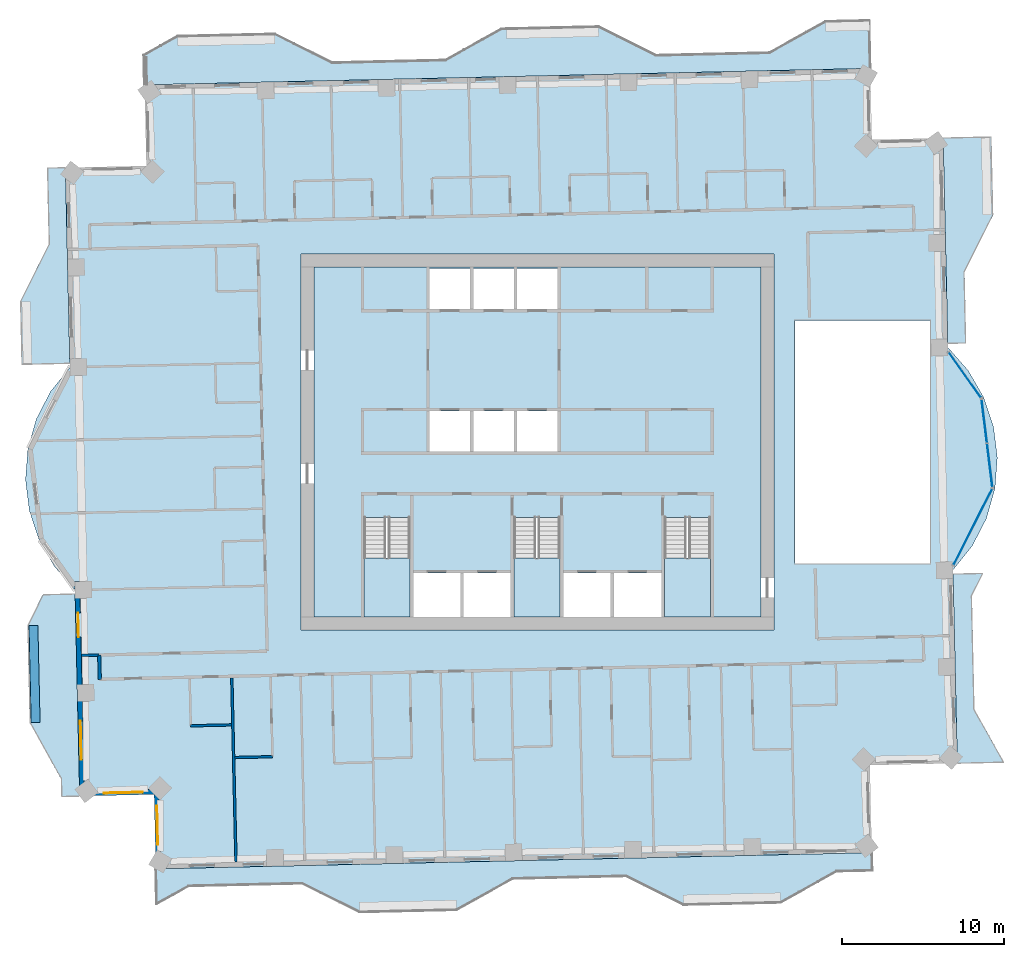
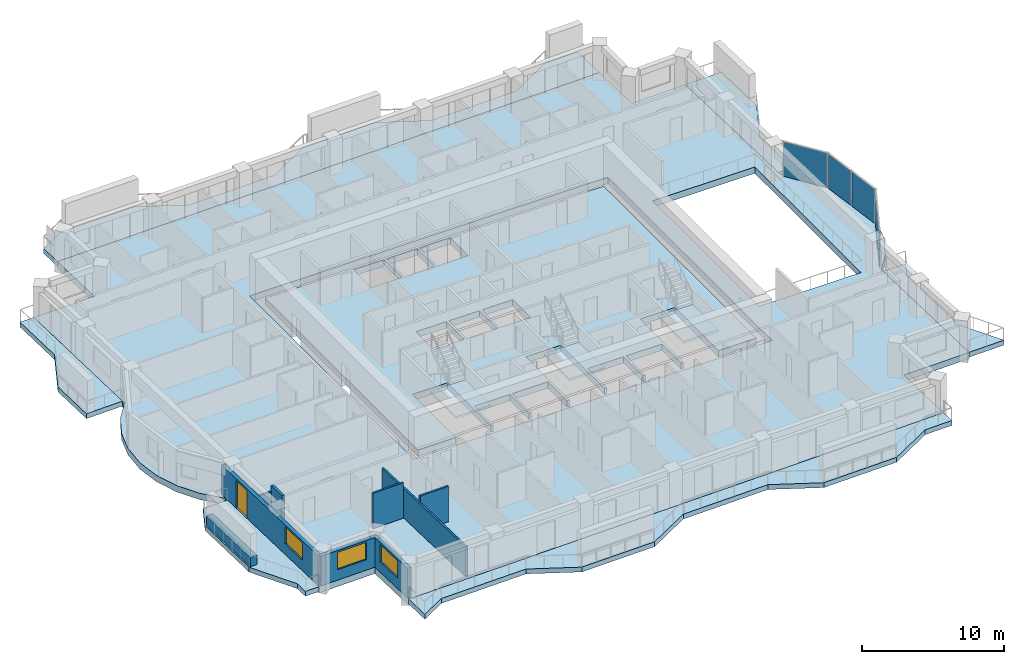
# One storey, part 5 of 17: 11 slabs, 9 walls, 4 plates, 3 windows, 1 door, 4 openings, 6 elements without a shape of their own.
"""IFC4 building model written with IfcOpenShell, lengths in metres."""

from ifc_helpers import new_model, si_unit, direction, frame, frame_2d, origin, origin_2d, place, context, subcontext, project, spatial, polyline, rectangle, outline, extrude, material, layer, layer_set, type_object, element, fill, aggregate, save


model = new_model("IFC4")

# Units and contexts
model_context = context("Model", 3, precision=1e-05, world=origin(), true_north=direction((0.0, 1.0)))
body_context = subcontext(model_context, "Body", "Model", "MODEL_VIEW")
ifc_project = project(units=[si_unit("LENGTHUNIT", "METRE"), si_unit("AREAUNIT", "SQUARE_METRE"), si_unit("VOLUMEUNIT", "CUBIC_METRE"), si_unit("PLANEANGLEUNIT", "RADIAN"), si_unit("MASSUNIT", "GRAM", prefix="KILO")], contexts=[model_context])

# Site, building, storey
site_placement = place(None, origin())
site = spatial("IfcSite", under=ifc_project, at=site_placement, CompositionType="ELEMENT")
building_placement = place(site_placement, origin())
building = spatial("IfcBuilding", under=site, at=building_placement, Name="Mangrove Gate Tower", CompositionType="ELEMENT")
storey_placement = place(building_placement, frame((0.0, 0.0, 249.10009765625)))
storey = spatial("IfcBuildingStorey", under=building, at=storey_placement, Name="L63", CompositionType="ELEMENT", Elevation=249.10009765625)

# Curtain wall, plate
ifc_material_1 = material(Name="Aluminium and glass curtain wall", Category="aluminium")
curtain_wall_type = type_object("IfcCurtainWallType", Name="Atrium garden-court glazing wall", PredefinedType="NOTDEFINED", material=ifc_material_1)
curtain_wall_1_placement = place(storey_placement, origin())
curtain_wall_1 = element("IfcCurtainWall", 1, at=curtain_wall_1_placement, inside=storey, type_object=curtain_wall_type, Name="Atrium garden-court glazing E1f1", PredefinedType="NOTDEFINED")
ifc_material_2 = material(Name="Laminated low-e glass", Category="glass")
ifc_layer_1 = layer(ifc_material_2, 0.031982421875)
ifc_layer_set_1 = layer_set([ifc_layer_1], Name="Atrium garden-court glazing panel 32")
plate_type = type_object("IfcPlateType", Name="Atrium garden-court glazing panel 32", PredefinedType="CURTAIN_PANEL", material=ifc_layer_set_1)
plate_1_placement = place(storey_placement, frame((26.87890625, -5.256591796875, 0.0), z_axis=(0.0, 0.0, 1.0), x_axis=(0.452597795636, 0.891714772439, 0.0)))
plate_1 = element("IfcPlate", 2, at=plate_1_placement, type_object=plate_type, Name="CWA panel 1.1", PredefinedType="CURTAIN_PANEL", context=body_context, shape_type="SweptSolid", body=[
    extrude(rectangle(XDim=5.258056640625, YDim=0.031982421875, at=origin_2d()), origin(), (0.0, 0.0, 1.0), 2.97998046875),
])
aggregate(curtain_wall_1, [plate_1])

# Curtain wall, plates
curtain_wall_2_placement = place(storey_placement, origin())
curtain_wall_2 = element("IfcCurtainWall", 3, at=curtain_wall_2_placement, inside=storey, type_object=curtain_wall_type, Name="Atrium garden-court glazing E1f2", PredefinedType="NOTDEFINED")
plate_2_placement = place(storey_placement, frame((27.92822265625, -1.449462890625, 0.0), z_axis=(0.0, 0.0, 1.0), x_axis=(-0.122172285885, 0.992508908051, 0.0)))
plate_2 = element("IfcPlate", 4, at=plate_2_placement, type_object=plate_type, Name="CWA panel 1.1", PredefinedType="CURTAIN_PANEL", context=body_context, shape_type="SweptSolid", body=[
    extrude(rectangle(XDim=2.681640625, YDim=0.031982421875, at=origin_2d()), origin(), (0.0, 0.0, 1.0), 2.97998046875),
])
plate_3_placement = place(storey_placement, frame((27.592041015625, 1.281494140625, 0.0), z_axis=(0.0, 0.0, 1.0), x_axis=(-0.122172285885, 0.992508908051, 0.0)))
plate_3 = element("IfcPlate", 5, at=plate_3_placement, type_object=plate_type, Name="CWA panel 2.1", PredefinedType="CURTAIN_PANEL", context=body_context, shape_type="SweptSolid", body=[
    extrude(rectangle(XDim=2.681640625, YDim=0.031982421875, at=origin_2d()), origin(), (0.0, 0.0, 1.0), 2.97998046875),
])
aggregate(curtain_wall_2, [plate_2, plate_3])

# Curtain wall, plate
curtain_wall_3_placement = place(storey_placement, origin())
curtain_wall_3 = element("IfcCurtainWall", 6, at=curtain_wall_3_placement, inside=storey, type_object=curtain_wall_type, Name="Atrium garden-court glazing E1f3", PredefinedType="NOTDEFINED")
plate_4_placement = place(storey_placement, frame((26.38818359375, 4.1376953125, 0.0), z_axis=(0.0, 0.0, 1.0), x_axis=(-0.578120908245, 0.815951110944, 0.0)))
plate_4 = element("IfcPlate", 7, at=plate_4_placement, type_object=plate_type, Name="CWA panel 1.1", PredefinedType="CURTAIN_PANEL", context=body_context, shape_type="SweptSolid", body=[
    extrude(rectangle(XDim=3.4287109375, YDim=0.031982421875, at=origin_2d()), origin(), (0.0, 0.0, 1.0), 2.97998046875),
])
aggregate(curtain_wall_3, [plate_4])

# Slabs
ifc_material_3 = material(Name="Porcelain tile")
ifc_layer_2 = layer(ifc_material_3, 0.02001953125, Name="Tile finish")
ifc_material_4 = material(Name="Cement sand screed")
ifc_layer_3 = layer(ifc_material_4, 0.0400390625, Name="Screed laid to falls")
ifc_material_5 = material(Name="Bituminous waterproofing membrane")
ifc_layer_4 = layer(ifc_material_5, 0.00390625, Name="Waterproofing")
ifc_material_6 = material(Name="Concrete C40/50", Category="concrete")
ifc_layer_5 = layer(ifc_material_6, 0.340087890625, Name="Balcony structural slab")
ifc_material_7 = material(Name="Limestone", Category="masonry")
ifc_layer_6 = layer(ifc_material_7, 0.01611328125, Name="Soffit lining")
ifc_layer_set_2 = layer_set([ifc_layer_2, ifc_layer_3, ifc_layer_4, ifc_layer_5, ifc_layer_6], Name="Balcony slab 420 C40/50")
slab_type_1 = type_object("IfcSlabType", Name="Balcony slab 420 C40/50", PredefinedType="FLOOR", material=ifc_layer_set_2)
slab_1_placement = place(storey_placement, frame((0.0, 0.0, -0.420166015625)))
element("IfcSlab", 8, at=slab_1_placement, inside=storey, type_object=slab_type_1, Name="BALCONY L63 E0", PredefinedType="FLOOR", context=body_context, shape_type="SweptSolid", body=[
    extrude(outline(polyline([(28.806884765625, -19.764892578125), (26.988037109375, -16.5048828125), (26.830078125, -9.507080078125), (27.52490234375, -8.115966796875), (25.658935546875, -8.158935546875), (25.68994140625, -9.532958984375), (25.84912109375, -16.531005859375), (25.924072265625, -19.830078125), (28.806884765625, -19.764892578125)])), origin(), (0.0, 0.0, 1.0), 0.420166015625),
])
slab_2_placement = place(storey_placement, frame((0.0, 0.0, -0.420166015625)))
element("IfcSlab", 9, at=slab_2_placement, inside=storey, type_object=slab_type_1, Name="BALCONY L63 E1", PredefinedType="FLOOR", context=body_context, shape_type="SweptSolid", body=[
    extrude(outline(polyline([(26.47509765625, 6.114013671875), (26.3759765625, 10.488037109375), (28.14599609375, 14.029052734375), (28.037109375, 18.827880859375), (25.048095703125, 18.760009765625), (25.156982421875, 13.9609375), (25.236083984375, 10.4619140625), (25.3349609375, 6.087890625), (26.47509765625, 6.114013671875)])), origin(), (0.0, 0.0, 1.0), 0.420166015625),
])
slab_3_placement = place(storey_placement, frame((0.0, 0.0, -0.420166015625)))
element("IfcSlab", 10, at=slab_3_placement, inside=storey, type_object=slab_type_1, Name="BALCONY L63 N0", PredefinedType="FLOOR", context=body_context, shape_type="SweptSolid", body=[
    extrude(outline(polyline([(20.48095703125, 26.048095703125), (17.778076171875, 25.987060546875), (14.321044921875, 24.05810546875), (7.322998046875, 23.89892578125), (3.781982421875, 25.6689453125), (-2.217041015625, 25.532958984375), (-5.674072265625, 23.60400390625), (-12.672119140625, 23.446044921875), (-16.212890625, 25.215087890625), (-22.2119140625, 25.0791015625), (-24.2900390625, 23.919921875), (-24.2470703125, 22.0419921875), (20.549072265625, 23.05908203125), (20.48095703125, 26.048095703125)])), origin(), (0.0, 0.0, 1.0), 0.420166015625),
])
slab_4_placement = place(storey_placement, frame((0.0, 0.0, -0.420166015625)))
element("IfcSlab", 11, at=slab_4_placement, inside=storey, type_object=slab_type_1, Name="BALCONY L63 W0", PredefinedType="FLOOR", context=body_context, shape_type="SweptSolid", body=[
    extrude(outline(polyline([(-30.27197265625, 16.904052734375), (-30.166015625, 12.205078125), (-31.93603515625, 8.6640625), (-31.847900390625, 4.791015625), (-28.85888671875, 4.85888671875), (-28.947021484375, 8.73193359375), (-29.02587890625, 12.23095703125), (-29.133056640625, 16.929931640625), (-30.27197265625, 16.904052734375)])), origin(), (0.0, 0.0, 1.0), 0.420166015625),
])
slab_5_placement = place(storey_placement, frame((0.0, 0.0, -0.420166015625)))
element("IfcSlab", 12, at=slab_5_placement, inside=storey, type_object=slab_type_1, Name="BALCONY L63 W1", PredefinedType="FLOOR", context=body_context, shape_type="SweptSolid", body=[
    extrude(outline(polyline([(-30.533935546875, -9.43408203125), (-31.48193359375, -11.330078125), (-31.345947265625, -17.3291015625), (-29.4169921875, -20.785888671875), (-29.39208984375, -21.885986328125), (-28.251953125, -21.860107421875), (-28.277099609375, -20.760009765625), (-28.35693359375, -17.260986328125), (-28.492919921875, -11.262939453125), (-28.534912109375, -9.387939453125), (-30.533935546875, -9.43408203125)])), origin(), (0.0, 0.0, 1.0), 0.420166015625),
])
slab_6_placement = place(storey_placement, frame((0.0, 0.0, -0.420166015625)))
element("IfcSlab", 13, at=slab_6_placement, inside=storey, type_object=slab_type_1, Name="BALCONY L63 S0", PredefinedType="FLOOR", context=body_context, shape_type="SweptSolid", body=[
    extrude(outline(polyline([(-23.4990234375, -28.552978515625), (-21.52001953125, -27.448974609375), (-14.52197265625, -27.2900390625), (-10.98095703125, -29.06005859375), (-4.98193359375, -28.924072265625), (-1.52490234375, -26.9951171875), (5.472900390625, -26.8369140625), (9.013916015625, -28.60595703125), (15.012939453125, -28.469970703125), (18.469970703125, -26.541015625), (20.673095703125, -26.490966796875), (20.64697265625, -25.35107421875), (-23.549072265625, -26.35400390625), (-23.4990234375, -28.552978515625)])), origin(), (0.0, 0.0, 1.0), 0.420166015625),
])
ifc_material_8 = material(Name="Concrete C40/50", Category="concrete")
ifc_layer_7 = layer(ifc_material_8, 0.550048828125)
ifc_layer_set_3 = layer_set([ifc_layer_7], Name="Core floor slab 550 C40/50")
slab_type_2 = type_object("IfcSlabType", Name="Core floor slab 550 C40/50", PredefinedType="FLOOR", material=ifc_layer_set_3)
slab_7_placement = place(storey_placement, frame((0.0, 0.0, -0.550048828125)))
element("IfcSlab", 14, at=slab_7_placement, inside=storey, type_object=slab_type_2, Name="SLAB-L63-CORE-1", PredefinedType="FLOOR", context=body_context, shape_type="SweptSolid", body=[
    extrude(outline(polyline([(-13.800048828125, -10.800048828125), (-13.800048828125, 10.800048828125), (13.800048828125, 10.800048828125), (13.800048828125, -10.800048828125), (10.699951171875, -10.800048828125), (10.699951171875, -4.653076171875), (7.85009765625, -4.653076171875), (7.85009765625, -10.800048828125), (7.64990234375, -10.800048828125), (7.64990234375, -8.10009765625), (4.72509765625, -8.10009765625), (4.72509765625, -10.800048828125), (4.52490234375, -10.800048828125), (4.52490234375, -8.10009765625), (1.60009765625, -8.10009765625), (1.60009765625, -10.800048828125), (1.39990234375, -10.800048828125), (1.39990234375, -4.653076171875), (-1.449951171875, -4.653076171875), (-1.449951171875, -10.800048828125), (-1.64990234375, -10.800048828125), (-1.64990234375, -8.10009765625), (-4.550048828125, -8.10009765625), (-4.550048828125, -10.800048828125), (-4.75, -10.800048828125), (-4.75, -8.10009765625), (-7.64990234375, -8.10009765625), (-7.64990234375, -10.800048828125), (-7.85009765625, -10.800048828125), (-7.85009765625, -4.653076171875), (-10.699951171875, -4.653076171875), (-10.699951171875, -10.800048828125), (-13.800048828125, -10.800048828125)]), holes=[polyline([(-4.14990234375, 1.89990234375), (-6.64990234375, 1.89990234375), (-6.64990234375, -0.60009765625), (-4.14990234375, -0.60009765625), (-4.14990234375, 1.89990234375)]), polyline([(-1.449951171875, -0.60009765625), (-1.449951171875, 1.89990234375), (-3.949951171875, 1.89990234375), (-3.949951171875, -0.60009765625), (-1.449951171875, -0.60009765625)]), polyline([(-4.14990234375, 8.199951171875), (-4.14990234375, 10.699951171875), (-6.64990234375, 10.699951171875), (-6.64990234375, 8.199951171875), (-4.14990234375, 8.199951171875)]), polyline([(-1.449951171875, 10.699951171875), (-3.949951171875, 10.699951171875), (-3.949951171875, 8.199951171875), (-1.449951171875, 8.199951171875), (-1.449951171875, 10.699951171875)]), polyline([(1.25, -0.60009765625), (1.25, 1.89990234375), (-1.25, 1.89990234375), (-1.25, -0.60009765625), (1.25, -0.60009765625)]), polyline([(1.25, 8.199951171875), (1.25, 10.699951171875), (-1.25, 10.699951171875), (-1.25, 8.199951171875), (1.25, 8.199951171875)])]), origin(), (0.0, 0.0, 1.0), 0.550048828125),
])

# Stair, slab
ifc_material_9 = material(Name="Concrete C40/50", Category="concrete")
stair_type = type_object("IfcStairType", Name="Core stair 1350", PredefinedType="HALF_TURN_STAIR", material=ifc_material_9)
stair_1_placement = place(storey_placement, origin())
stair_1 = element("IfcStair", 15, at=stair_1_placement, inside=storey, type_object=stair_type, Name="L63 Stair 1", PredefinedType="HALF_TURN_STAIR")
ifc_material_10 = material(Name="Concrete C40/50", Category="concrete")
ifc_layer_8 = layer(ifc_material_10, 0.199951171875)
ifc_layer_set_4 = layer_set([ifc_layer_8], Name="Core stair landing 200")
slab_type_3 = type_object("IfcSlabType", Name="Core stair landing 200", PredefinedType="LANDING", material=ifc_layer_set_4)
slab_8_placement = place(storey_placement, frame((0.0, 0.0, 1.599853515625)))
slab_8 = element("IfcSlab", 16, at=slab_8_placement, type_object=slab_type_3, Name="ST1 landing 1", PredefinedType="LANDING", context=body_context, shape_type="SweptSolid", body=[
    extrude(outline(polyline([(-10.699951171875, -7.169921875), (-10.699951171875, -10.800048828125), (-7.85009765625, -10.800048828125), (-7.85009765625, -7.169921875), (-10.699951171875, -7.169921875)])), origin(), (0.0, 0.0, 1.0), 0.199951171875),
])
aggregate(stair_1, [slab_8])

stair_2_placement = place(storey_placement, origin())
stair_2 = element("IfcStair", 17, at=stair_2_placement, inside=storey, type_object=stair_type, Name="L63 Stair 2", PredefinedType="HALF_TURN_STAIR")
slab_9_placement = place(storey_placement, frame((0.0, 0.0, 1.599853515625)))
slab_9 = element("IfcSlab", 18, at=slab_9_placement, type_object=slab_type_3, Name="ST2 landing 1", PredefinedType="LANDING", context=body_context, shape_type="SweptSolid", body=[
    extrude(outline(polyline([(-1.449951171875, -7.169921875), (-1.449951171875, -10.800048828125), (1.39990234375, -10.800048828125), (1.39990234375, -7.169921875), (-1.449951171875, -7.169921875)])), origin(), (0.0, 0.0, 1.0), 0.199951171875),
])
aggregate(stair_2, [slab_9])

stair_3_placement = place(storey_placement, origin())
stair_3 = element("IfcStair", 19, at=stair_3_placement, inside=storey, type_object=stair_type, Name="L63 Stair 3", PredefinedType="HALF_TURN_STAIR")
slab_10_placement = place(storey_placement, frame((0.0, 0.0, 1.599853515625)))
slab_10 = element("IfcSlab", 20, at=slab_10_placement, type_object=slab_type_3, Name="ST3 landing 1", PredefinedType="LANDING", context=body_context, shape_type="SweptSolid", body=[
    extrude(outline(polyline([(7.85009765625, -7.169921875), (7.85009765625, -10.800048828125), (10.699951171875, -10.800048828125), (10.699951171875, -7.169921875), (7.85009765625, -7.169921875)])), origin(), (0.0, 0.0, 1.0), 0.199951171875),
])
aggregate(stair_3, [slab_10])

# Slab
ifc_material_11 = material(Name="Concrete C40/50", Category="concrete")
ifc_layer_9 = layer(ifc_material_11, 0.550048828125)
ifc_layer_set_5 = layer_set([ifc_layer_9], Name="Floor slab 550 C40/50")
slab_type_4 = type_object("IfcSlabType", Name="Floor slab 550 C40/50", PredefinedType="FLOOR", material=ifc_layer_set_5)
slab_11_placement = place(storey_placement, frame((0.0, 0.0, -0.550048828125)))
element("IfcSlab", 21, at=slab_11_placement, inside=storey, type_object=slab_type_4, Name="Floor slab L63", PredefinedType="FLOOR", context=body_context, shape_type="SweptSolid", body=[
    extrude(outline(polyline([(-23.549072265625, -26.354248046875), (20.6474609375, -25.351318359375), (20.52490234375, -19.95263671875), (25.923583984375, -19.830322265625), (25.653076171875, -7.90869140625), (26.849609375, -6.416259765625), (27.7265625, -4.71630859375), (28.2490234375, -2.87646484375), (28.396240234375, -0.96923828125), (28.16259765625, 0.92919921875), (27.55712890625, 2.74365234375), (26.60400390625, 4.40185546875), (25.341064453125, 5.83837890625), (25.0478515625, 18.759765625), (20.64892578125, 18.659912109375), (20.549072265625, 23.058837890625), (-24.247314453125, 22.042236328125), (-24.1337890625, 17.04345703125), (-29.132568359375, 16.93017578125), (-28.85302734375, 4.608642578125), (-30.049560546875, 3.1162109375), (-30.926513671875, 1.41650390625), (-31.448974609375, -0.423583984375), (-31.59619140625, -2.330810546875), (-31.362548828125, -4.229248046875), (-30.757080078125, -6.043701171875), (-29.803955078125, -7.701904296875), (-28.541015625, -9.138427734375), (-28.25244140625, -21.85986328125), (-23.653564453125, -21.755615234375), (-23.549072265625, -26.354248046875)]), holes=[polyline([(15.89990234375, 7.5), (24.22705078125, 7.5), (24.22705078125, -7.5), (15.89990234375, -7.5), (15.89990234375, 7.5)]), polyline([(-14.60009765625, -11.60009765625), (-14.60009765625, 11.60009765625), (14.60009765625, 11.60009765625), (14.60009765625, -11.60009765625), (-14.60009765625, -11.60009765625)])]), origin(), (0.0, 0.0, 1.0), 0.550048828125),
])

# Wall
ifc_material_12 = material(Name="Gypsum board on steel stud, EI 60", Category="steel")
ifc_layer_10 = layer(ifc_material_12, 0.199951171875)
ifc_layer_set_6 = layer_set([ifc_layer_10], Name="Corridor wall EI 60")
wall_type_1 = type_object("IfcWallType", Name="Corridor wall EI 60", PredefinedType="PARTITIONING", material=ifc_layer_set_6)
wall_1_placement = place(storey_placement, frame((-27.011962890625, -14.654052734375, 0.0), z_axis=(0.0, 0.0, 1.0), x_axis=(-0.022617910375, 0.999744182344, 0.0)))
element("IfcWall", 22, at=wall_1_placement, inside=storey, type_object=wall_type_1, Name="WALL-L63-030", PredefinedType="PARTITIONING", context=body_context, shape_type="SweptSolid", body=[
    extrude(rectangle(XDim=1.50048828125, YDim=0.199951171875, at=frame_2d((0.750244140625, 0.0))), origin(), (0.0, 0.0, 1.0), 3.0498046875),
])

# Wall, openings, door, window
ifc_layer_11 = layer(ifc_material_7, 0.0400390625, Name="Limestone cladding")
ifc_material_13 = material(Name="Ventilated air gap")
ifc_layer_12 = layer(ifc_material_13, 0.0400390625, Name="Ventilated cavity")
ifc_material_14 = material(Name="Mineral wool insulation")
ifc_layer_13 = layer(ifc_material_14, 0.06005859375, Name="Insulation")
ifc_material_15 = material(Name="Breather membrane")
ifc_layer_14 = layer(ifc_material_15, 0.001953125, Name="Breather membrane")
ifc_material_16 = material(Name="Concrete C20/25 blockwork", Category="masonry")
ifc_layer_15 = layer(ifc_material_16, 0.14990234375, Name="Blockwork backing wall")
ifc_material_17 = material(Name="Gypsum plaster")
ifc_layer_16 = layer(ifc_material_17, 0.008056640625, Name="Internal plaster")
ifc_layer_set_7 = layer_set([ifc_layer_11, ifc_layer_12, ifc_layer_13, ifc_layer_14, ifc_layer_15, ifc_layer_16], Name="External wall 300 limestone cladding")
wall_type_2 = type_object("IfcWallType", Name="External wall 300 limestone cladding", PredefinedType="SOLIDWALL", material=ifc_layer_set_7)
wall_2_placement = place(storey_placement, frame((-28.403076171875, -8.610107421875, 0.0), z_axis=(0.0, 0.0, 1.0), x_axis=(0.022680342038, -0.999742767958, 0.0)))
wall_2 = element("IfcWall", 23, at=wall_2_placement, inside=storey, type_object=wall_type_2, Name="WALL-L63-W10s1", PredefinedType="SOLIDWALL", context=body_context, shape_type="SweptSolid", body=[
    extrude(rectangle(XDim=13.100341796875, YDim=0.300048828125, at=frame_2d((6.55029296875, 0.0))), origin(), (0.0, 0.0, 1.0), 2.5498046875),
])
opening_1_placement = place(wall_2_placement, frame((1.93701171875, 0.0, 0.0)))
opening_1 = element("IfcOpeningElement", 24, at=opening_1_placement, cuts=wall_2, Name="Opening BD1", PredefinedType="OPENING", context=body_context, shape_type="SweptSolid", body=[
    extrude(rectangle(XDim=1.5, YDim=2.39990234375, at=frame_2d((0.75, 1.199951171875))), frame((0.0, 0.159912109375, 0.0), z_axis=(0.0, -1.0, 0.0), x_axis=(1.0, 0.0, 0.0)), (0.0, 0.0, 1.0), 0.320068359375),
])
opening_2_placement = place(wall_2_placement, frame((8.611083984375, 0.0, 0.89990234375)))
opening_2 = element("IfcOpeningElement", 25, at=opening_2_placement, cuts=wall_2, Name="Opening W2", PredefinedType="OPENING", context=body_context, shape_type="SweptSolid", body=[
    extrude(rectangle(XDim=2.39990234375, YDim=1.5, at=frame_2d((1.199951171875, 0.75))), frame((0.0, 0.159912109375, 0.0), z_axis=(0.0, -1.0, 0.0), x_axis=(1.0, 0.0, 0.0)), (0.0, 0.0, 1.0), 0.320068359375),
])
ifc_material_18 = material(Name="Aluminium frame with laminated clear glass", Category="aluminium")
door_type = type_object("IfcDoorType", Name="Balcony sliding door 1500x2400", OperationType="SLIDING_TO_LEFT", PredefinedType="DOOR", material=ifc_material_18)
door_placement = place(opening_1_placement, origin())
door = element("IfcDoor", 26, at=door_placement, inside=storey, type_object=door_type, Name="DOOR-L63-W10-1", OperationType="SLIDING_TO_LEFT", OverallHeight=2.39990234375, OverallWidth=1.5, PredefinedType="DOOR", context=body_context, shape_type="SweptSolid", body=[
    extrude(rectangle(XDim=1.5, YDim=2.39990234375, at=frame_2d((0.75, 1.199951171875))), frame((0.0, 0.02490234375, 0.0), z_axis=(0.0, -1.0, 0.0), x_axis=(1.0, 0.0, 0.0)), (0.0, 0.0, 1.0), 0.050048828125),
])
fill(opening_1, door)
ifc_material_19 = material(Name="Aluminium frame with double-glazed low-e glass", Category="aluminium")
window_type = type_object("IfcWindowType", Name="Corner room window 2400x1500", PartitioningType="DOUBLE_PANEL_VERTICAL", PredefinedType="WINDOW", material=ifc_material_19)
window_1_placement = place(opening_2_placement, origin())
window_1 = element("IfcWindow", 27, at=window_1_placement, inside=storey, type_object=window_type, Name="WIN-L63-W10-2", OverallHeight=1.5, OverallWidth=2.39990234375, PartitioningType="DOUBLE_PANEL_VERTICAL", PredefinedType="WINDOW", context=body_context, shape_type="SweptSolid", body=[
    extrude(rectangle(XDim=2.39990234375, YDim=1.5, at=frame_2d((1.199951171875, 0.75))), frame((0.0, 0.030029296875, 0.0), z_axis=(0.0, -1.0, 0.0), x_axis=(1.0, 0.0, 0.0)), (0.0, 0.0, 1.0), 0.06005859375),
])
fill(opening_2, window_1)

# Wall, opening, window
wall_3_placement = place(storey_placement, frame((-28.10595703125, -21.70703125, 0.0), z_axis=(0.0, 0.0, 1.0), x_axis=(0.999738756298, 0.022856490471, 0.0)))
wall_3 = element("IfcWall", 28, at=wall_3_placement, inside=storey, type_object=wall_type_2, Name="WALL-L63-S11s1", PredefinedType="SOLIDWALL", context=body_context, shape_type="SweptSolid", body=[
    extrude(rectangle(XDim=4.72119140625, YDim=0.300048828125, at=frame_2d((2.360595703125, 0.0))), origin(), (0.0, 0.0, 1.0), 2.5498046875),
])
opening_3_placement = place(wall_3_placement, frame((1.343994140625, 0.0, 0.89990234375)))
opening_3 = element("IfcOpeningElement", 29, at=opening_3_placement, cuts=wall_3, Name="Opening W2", PredefinedType="OPENING", context=body_context, shape_type="SweptSolid", body=[
    extrude(rectangle(XDim=2.39990234375, YDim=1.5, at=frame_2d((1.199951171875, 0.75))), frame((0.0, 0.159912109375, 0.0), z_axis=(0.0, -1.0, 0.0), x_axis=(1.0, 0.0, 0.0)), (0.0, 0.0, 1.0), 0.320068359375),
])
window_2_placement = place(opening_3_placement, origin())
window_2 = element("IfcWindow", 30, at=window_2_placement, inside=storey, type_object=window_type, Name="WIN-L63-S11-1", OverallHeight=1.5, OverallWidth=2.39990234375, PartitioningType="DOUBLE_PANEL_VERTICAL", PredefinedType="WINDOW", context=body_context, shape_type="SweptSolid", body=[
    extrude(rectangle(XDim=2.39990234375, YDim=1.5, at=frame_2d((1.199951171875, 0.75))), frame((0.0, 0.030029296875, 0.0), z_axis=(0.0, -1.0, 0.0), x_axis=(1.0, 0.0, 0.0)), (0.0, 0.0, 1.0), 0.06005859375),
])
fill(opening_3, window_2)

wall_4_placement = place(storey_placement, frame((-23.507080078125, -21.60205078125, 0.0), z_axis=(0.0, 0.0, 1.0), x_axis=(0.022609285172, -0.999744377441, 0.0)))
wall_4 = element("IfcWall", 31, at=wall_4_placement, inside=storey, type_object=wall_type_2, Name="WALL-L63-W12", PredefinedType="SOLIDWALL", context=body_context, shape_type="SweptSolid", body=[
    extrude(rectangle(XDim=4.60009765625, YDim=0.300048828125, at=frame_2d((2.300048828125, 0.0))), origin(), (0.0, 0.0, 1.0), 2.5498046875),
])
opening_4_placement = place(wall_4_placement, frame((0.85107421875, 0.0, 0.89990234375)))
opening_4 = element("IfcOpeningElement", 32, at=opening_4_placement, cuts=wall_4, Name="Opening W2", PredefinedType="OPENING", context=body_context, shape_type="SweptSolid", body=[
    extrude(rectangle(XDim=2.39990234375, YDim=1.5, at=frame_2d((1.199951171875, 0.75))), frame((0.0, 0.159912109375, 0.0), z_axis=(0.0, -1.0, 0.0), x_axis=(1.0, 0.0, 0.0)), (0.0, 0.0, 1.0), 0.320068359375),
])
window_3_placement = place(opening_4_placement, origin())
window_3 = element("IfcWindow", 33, at=window_3_placement, inside=storey, type_object=window_type, Name="WIN-L63-W12-1", OverallHeight=1.5, OverallWidth=2.39990234375, PartitioningType="DOUBLE_PANEL_VERTICAL", PredefinedType="WINDOW", context=body_context, shape_type="SweptSolid", body=[
    extrude(rectangle(XDim=2.39990234375, YDim=1.5, at=frame_2d((1.199951171875, 0.75))), frame((0.0, 0.030029296875, 0.0), z_axis=(0.0, -1.0, 0.0), x_axis=(1.0, 0.0, 0.0)), (0.0, 0.0, 1.0), 0.06005859375),
])
fill(opening_4, window_3)

# Walls
ifc_material_20 = material(Name="Gypsum board on steel stud, EI 60", Category="steel")
ifc_layer_17 = layer(ifc_material_20, 0.14990234375)
ifc_layer_set_8 = layer_set([ifc_layer_17], Name="Party wall 150 EI 60")
wall_type_3 = type_object("IfcWallType", Name="Party wall 150 EI 60", PredefinedType="PARTITIONING", material=ifc_layer_set_8)
wall_5_placement = place(storey_placement, frame((-18.60302734375, -25.94189453125, 0.0), z_axis=(0.0, 0.0, 1.0), x_axis=(-0.022684842063, 0.99974266586, 0.0)))
element("IfcWall", 34, at=wall_5_placement, inside=storey, type_object=wall_type_3, Name="WALL-L63-001", PredefinedType="PARTITIONING", context=body_context, shape_type="SweptSolid", body=[
    extrude(rectangle(XDim=11.375732421875, YDim=0.14990234375, at=frame_2d((5.68798828125, 0.0))), origin(), (0.0, 0.0, 1.0), 2.5498046875),
])
wall_6_placement = place(storey_placement, frame((-18.678955078125, -19.48193359375, 0.0), z_axis=(0.0, 0.0, 1.0), x_axis=(0.999740478815, 0.022781023197, 0.0)))
element("IfcWall", 35, at=wall_6_placement, inside=storey, type_object=wall_type_3, Name="WALL-L63-023", PredefinedType="PARTITIONING", context=body_context, shape_type="SweptSolid", body=[
    extrude(rectangle(XDim=2.325439453125, YDim=0.14990234375, at=frame_2d((1.16259765625, 0.0))), origin(), (0.0, 0.0, 1.0), 3.0498046875),
])
wall_7_placement = place(storey_placement, frame((-21.39892578125, -17.52294921875, 0.0), z_axis=(0.0, 0.0, 1.0), x_axis=(0.9997461113, 0.022532486354, 0.0)))
element("IfcWall", 36, at=wall_7_placement, inside=storey, type_object=wall_type_3, Name="WALL-L63-027", PredefinedType="PARTITIONING", context=body_context, shape_type="SweptSolid", body=[
    extrude(rectangle(XDim=2.524658203125, YDim=0.14990234375, at=frame_2d((1.26220703125, 0.0))), origin(), (0.0, 0.0, 1.0), 3.0498046875),
])
wall_8_placement = place(storey_placement, frame((-28.14892578125, -13.175048828125, 0.0), z_axis=(0.0, 0.0, 1.0), x_axis=(0.999740233734, 0.022791776024, 0.0)))
element("IfcWall", 37, at=wall_8_placement, inside=storey, type_object=wall_type_3, Name="WALL-L63-035", PredefinedType="PARTITIONING", context=body_context, shape_type="SweptSolid", body=[
    extrude(rectangle(XDim=1.103271484375, YDim=0.14990234375, at=frame_2d((0.5517578125, 0.0))), origin(), (0.0, 0.0, 1.0), 2.5498046875),
])
ifc_material_21 = material(Name="Concrete C32/40", Category="concrete")
ifc_layer_18 = layer(ifc_material_21, 0.199951171875, Name="Planter trough wall")
ifc_layer_19 = layer(ifc_material_5, 0.0048828125, Name="Waterproofing")
ifc_material_22 = material(Name="Drainage board and gravel")
ifc_layer_20 = layer(ifc_material_22, 0.044921875, Name="Drainage layer")
ifc_material_23 = material(Name="Planting soil")
ifc_layer_21 = layer(ifc_material_23, 0.300048828125, Name="Growing medium")
ifc_layer_set_9 = layer_set([ifc_layer_18, ifc_layer_19, ifc_layer_20, ifc_layer_21], Name="Planter wall 550 C32/40")
wall_type_4 = type_object("IfcWallType", Name="Planter wall 550 C32/40", PredefinedType="USERDEFINED", material=ifc_layer_set_9)
wall_9_placement = place(storey_placement, frame((-30.970947265625, -17.321044921875, 0.0), z_axis=(0.0, 0.0, 1.0), x_axis=(-0.022662255828, 0.999743178102, 0.0)))
element("IfcWall", 38, at=wall_9_placement, inside=storey, type_object=wall_type_4, Name="PLANTER L63 W1.1", ObjectType="PLANTER", PredefinedType="USERDEFINED", context=body_context, shape_type="SweptSolid", body=[
    extrude(rectangle(XDim=6.00048828125, YDim=0.550048828125, at=frame_2d((3.000244140625, 0.0))), origin(), (0.0, 0.0, 1.0), 0.7998046875),
])

save(model, "model.ifc")
